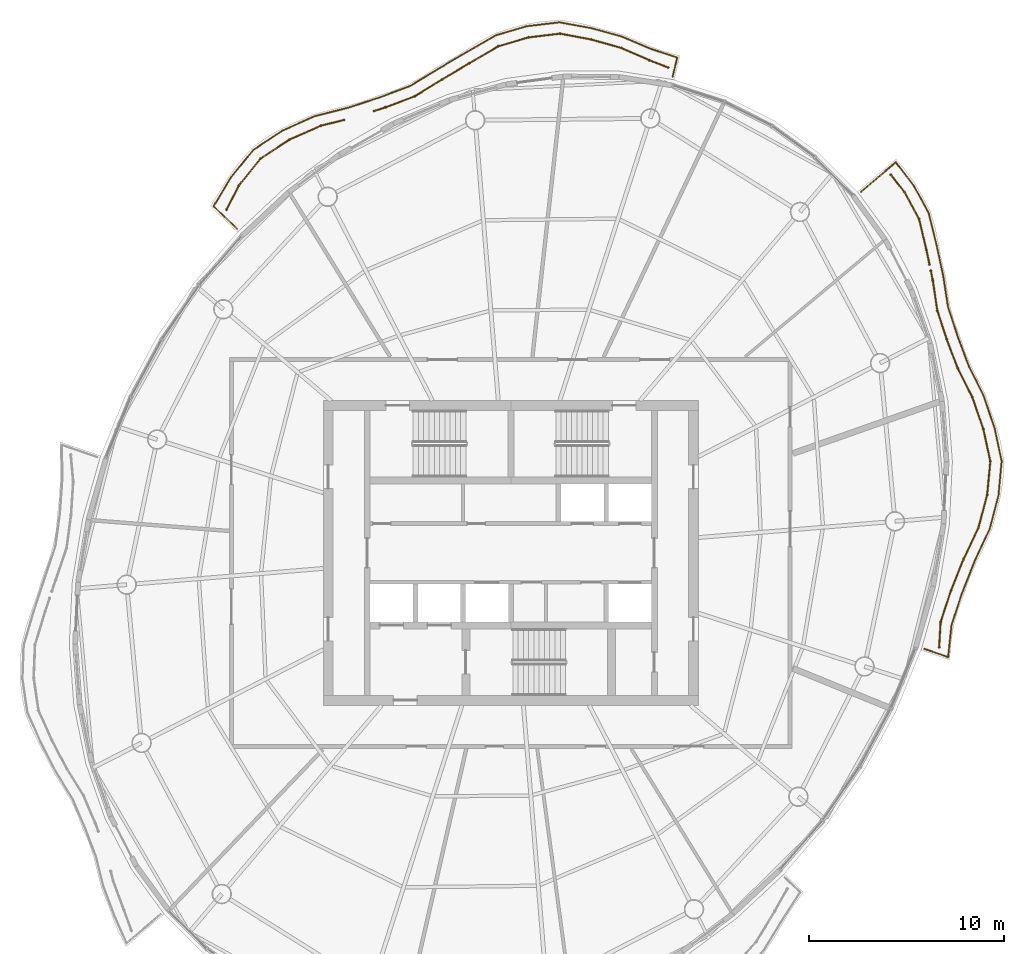
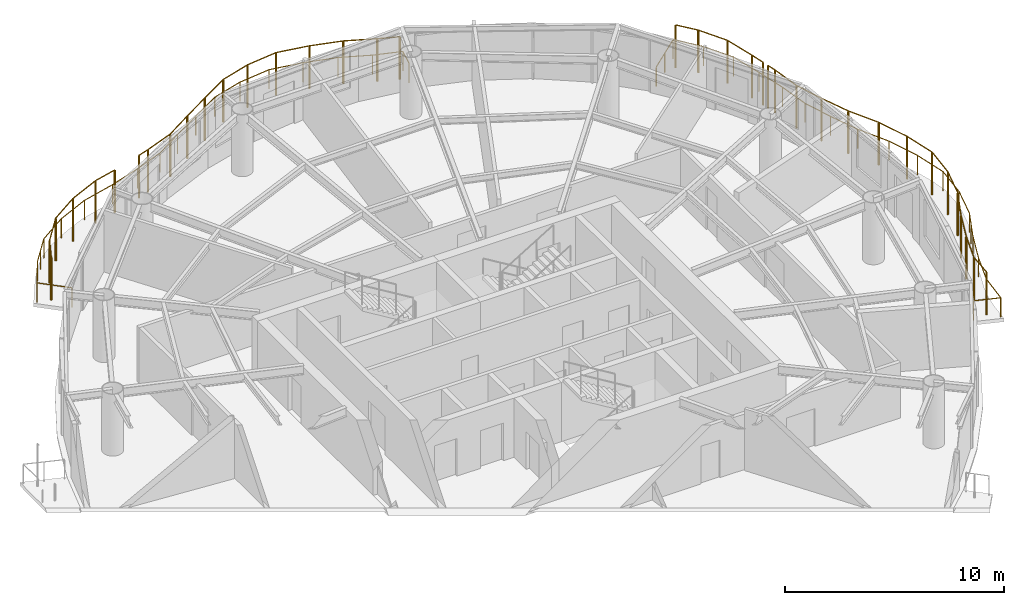
# One storey, part 14 of 14: 6 railings.
"""IFC4 building model written with IfcOpenShell, lengths in metres."""

from ifc_helpers import new_model, si_unit, direction, frame, origin, origin_2d, place, context, subcontext, project, spatial, circle, extrude, material, type_object, element, save


model = new_model("IFC4")

# Units and contexts
model_context = context("Model", 3, precision=1e-05, world=origin(), true_north=direction((0.0, 1.0)))
body_context = subcontext(model_context, "Body", "Model", "MODEL_VIEW")
ifc_project = project(units=[si_unit("LENGTHUNIT", "METRE"), si_unit("AREAUNIT", "SQUARE_METRE"), si_unit("VOLUMEUNIT", "CUBIC_METRE"), si_unit("PLANEANGLEUNIT", "RADIAN"), si_unit("MASSUNIT", "GRAM", prefix="KILO")], contexts=[model_context])

# Site, building, storey
site_placement = place(None, origin())
site = spatial("IfcSite", under=ifc_project, at=site_placement, CompositionType="ELEMENT")
building_placement = place(site_placement, origin())
building = spatial("IfcBuilding", under=site, at=building_placement, Name="Vermilion Reach Broadcast Tower", CompositionType="ELEMENT")
storey_placement = place(building_placement, frame((0.0, 0.0, 268.5)))
storey = spatial("IfcBuildingStorey", under=building, at=storey_placement, Name="L66", CompositionType="ELEMENT", Elevation=268.5)

# Railings
ifc_material_1 = material(Name="Terracotta baguette", Category="masonry")
railing_type_1 = type_object("IfcRailingType", Name="BAGUETTE SCREEN", PredefinedType="USERDEFINED", material=ifc_material_1)
railing_1_placement = place(storey_placement, frame((2.0556640625, 24.85205078125, 0.0)))
element("IfcRailing", 1, at=railing_1_placement, inside=storey, type_object=railing_type_1, Name="Baguette screen L66 group 1 part 1", ObjectType="BAGUETTE SCREEN", PredefinedType="USERDEFINED", context=body_context, shape_type="SweptSolid", body=[
    extrude(circle(Radius=0.030029296875, at=origin_2d()), frame((0.0, 0.0, 2.369873046875), z_axis=(-0.93247897324, 0.361224257859, 0.0), x_axis=(-0.361224257859, -0.93247897324, 0.0)), (0.0, 0.0, 1.0), 1.04150390625),
    extrude(circle(Radius=0.030029296875, at=origin_2d()), frame((-0.97119140625, 0.376220703125, 2.369873046875), z_axis=(-0.91631856322, 0.400450110124, 0.0), x_axis=(-0.400450110124, -0.91631856322, 0.0)), (0.0, 0.0, 1.0), 1.563232421875),
    extrude(circle(Radius=0.030029296875, at=origin_2d()), frame((-2.403564453125, 1.002197265625, 2.369873046875), z_axis=(-0.962434337891, 0.271514539662, 0.0), x_axis=(-0.271514539662, -0.962434337891, 0.0)), (0.0, 0.0, 1.0), 1.599609375),
    extrude(circle(Radius=0.030029296875, at=origin_2d()), frame((-3.943115234375, 1.4365234375, 2.369873046875), z_axis=(-0.982870475334, 0.184297663349, 0.0), x_axis=(-0.184297663349, -0.982870475334, 0.0)), (0.0, 0.0, 1.0), 1.61474609375),
    extrude(circle(Radius=0.030029296875, at=origin_2d()), frame((-5.5302734375, 1.734130859375, 2.369873046875), z_axis=(-0.993080723656, -0.117433710252, 0.0), x_axis=(0.117433710252, -0.993080723656, 0.0)), (0.0, 0.0, 1.0), 1.625732421875),
    extrude(circle(Radius=0.030029296875, at=origin_2d()), frame((-7.144775390625, 1.543212890625, 2.369873046875), z_axis=(-0.959243215021, -0.282581765931, 0.0), x_axis=(0.282581765931, -0.959243215021, 0.0)), (0.0, 0.0, 1.0), 1.62255859375),
    extrude(circle(Radius=0.030029296875, at=origin_2d()), frame((-8.701171875, 1.084716796875, 2.369873046875), z_axis=(-0.863017523231, -0.50517398448, 0.0), x_axis=(0.50517398448, -0.863017523231, 0.0)), (0.0, 0.0, 1.0), 1.7001953125),
    extrude(circle(Radius=0.030029296875, at=origin_2d()), frame((-10.16845703125, 0.225830078125, 2.369873046875), z_axis=(-0.85940504697, -0.511295379642, 0.0), x_axis=(0.511295379642, -0.85940504697, 0.0)), (0.0, 0.0, 1.0), 1.6396484375),
    extrude(circle(Radius=0.030029296875, at=origin_2d()), frame((-11.57763671875, -0.612548828125, 2.369873046875), z_axis=(-0.851515243905, -0.524329847898, 0.0), x_axis=(0.524329847898, -0.851515243905, 0.0)), (0.0, 0.0, 1.0), 1.640869140625),
    extrude(circle(Radius=0.030029296875, at=origin_2d()), frame((-12.974853515625, -1.472900390625, 2.369873046875), z_axis=(-0.935572395568, -0.353134949633, 0.0), x_axis=(0.353134949633, -0.935572395568, 0.0)), (0.0, 0.0, 1.0), 1.60888671875),
    extrude(circle(Radius=0.030029296875, at=origin_2d()), frame((-14.47998046875, -2.041015625, 2.369873046875), z_axis=(-0.9519617271, -0.306217031103, 0.0), x_axis=(0.306217031103, -0.9519617271, 0.0)), (0.0, 0.0, 1.0), 0.6083984375),
    extrude(circle(Radius=0.050048828125, at=origin_2d()), origin(), (0.0, 0.0, 1.0), 2.33984375),
    extrude(circle(Radius=0.050048828125, at=origin_2d()), frame((-0.97119140625, 0.376220703125, 0.0)), (0.0, 0.0, 1.0), 2.33984375),
    extrude(circle(Radius=0.050048828125, at=origin_2d()), frame((-2.403564453125, 1.002197265625, 0.0)), (0.0, 0.0, 1.0), 2.33984375),
    extrude(circle(Radius=0.050048828125, at=origin_2d()), frame((-3.943115234375, 1.4365234375, 0.0)), (0.0, 0.0, 1.0), 2.33984375),
    extrude(circle(Radius=0.050048828125, at=origin_2d()), frame((-5.5302734375, 1.734130859375, 0.0)), (0.0, 0.0, 1.0), 2.33984375),
    extrude(circle(Radius=0.050048828125, at=origin_2d()), frame((-7.144775390625, 1.543212890625, 0.0)), (0.0, 0.0, 1.0), 2.33984375),
    extrude(circle(Radius=0.050048828125, at=origin_2d()), frame((-8.701171875, 1.084716796875, 0.0)), (0.0, 0.0, 1.0), 2.33984375),
    extrude(circle(Radius=0.050048828125, at=origin_2d()), frame((-10.16845703125, 0.225830078125, 0.0)), (0.0, 0.0, 1.0), 2.33984375),
    extrude(circle(Radius=0.050048828125, at=origin_2d()), frame((-11.57763671875, -0.612548828125, 0.0)), (0.0, 0.0, 1.0), 2.33984375),
    extrude(circle(Radius=0.050048828125, at=origin_2d()), frame((-12.974853515625, -1.472900390625, 0.0)), (0.0, 0.0, 1.0), 2.33984375),
    extrude(circle(Radius=0.050048828125, at=origin_2d()), frame((-14.47998046875, -2.041015625, 0.0)), (0.0, 0.0, 1.0), 2.33984375),
    extrude(circle(Radius=0.050048828125, at=origin_2d()), frame((-15.05908203125, -2.227294921875, 0.0)), (0.0, 0.0, 1.0), 2.33984375),
])
railing_2_placement = place(storey_placement, frame((-14.55029296875, 22.165283203125, 0.0)))
element("IfcRailing", 2, at=railing_2_placement, inside=storey, type_object=railing_type_1, Name="Baguette screen L66 group 1 part 2", ObjectType="BAGUETTE SCREEN", PredefinedType="USERDEFINED", context=body_context, shape_type="SweptSolid", body=[
    extrude(circle(Radius=0.030029296875, at=origin_2d()), frame((0.0, 0.0, 2.369873046875), z_axis=(-0.970366023583, -0.241639773785, 0.0), x_axis=(0.241639773785, -0.970366023583, 0.0)), (0.0, 0.0, 1.0), 1.218505859375),
    extrude(circle(Radius=0.030029296875, at=origin_2d()), frame((-1.182373046875, -0.29443359375, 2.369873046875), z_axis=(-0.914033532245, -0.405638634664, 0.0), x_axis=(0.405638634664, -0.914033532245, 0.0)), (0.0, 0.0, 1.0), 1.767578125),
    extrude(circle(Radius=0.030029296875, at=origin_2d()), frame((-2.798095703125, -1.011474609375, 2.369873046875), z_axis=(-0.834997500605, -0.550253736002, 0.0), x_axis=(0.550253736002, -0.834997500605, 0.0)), (0.0, 0.0, 1.0), 1.751708984375),
    extrude(circle(Radius=0.030029296875, at=origin_2d()), frame((-4.2607421875, -1.975341796875, 2.369873046875), z_axis=(-0.628704633041, -0.777644188812, 0.0), x_axis=(0.777644188812, -0.628704633041, 0.0)), (0.0, 0.0, 1.0), 1.793212890625),
    extrude(circle(Radius=0.030029296875, at=origin_2d()), frame((-5.38818359375, -3.369873046875, 2.369873046875), z_axis=(-0.450853869309, -0.892597775333, 0.0), x_axis=(0.892597775333, -0.450853869309, 0.0)), (0.0, 0.0, 1.0), 1.36669921875),
    extrude(circle(Radius=0.050048828125, at=origin_2d()), origin(), (0.0, 0.0, 1.0), 2.33984375),
    extrude(circle(Radius=0.050048828125, at=origin_2d()), frame((-1.182373046875, -0.29443359375, 0.0)), (0.0, 0.0, 1.0), 2.33984375),
    extrude(circle(Radius=0.050048828125, at=origin_2d()), frame((-2.798095703125, -1.011474609375, 0.0)), (0.0, 0.0, 1.0), 2.33984375),
    extrude(circle(Radius=0.050048828125, at=origin_2d()), frame((-4.2607421875, -1.975341796875, 0.0)), (0.0, 0.0, 1.0), 2.33984375),
    extrude(circle(Radius=0.050048828125, at=origin_2d()), frame((-5.38818359375, -3.369873046875, 0.0)), (0.0, 0.0, 1.0), 2.33984375),
    extrude(circle(Radius=0.050048828125, at=origin_2d()), frame((-6.00439453125, -4.58984375, 0.0)), (0.0, 0.0, 1.0), 2.33984375),
])
railing_3_placement = place(storey_placement, frame((15.92529296875, -4.82080078125, 0.0)))
element("IfcRailing", 3, at=railing_3_placement, inside=storey, type_object=railing_type_1, Name="Baguette screen L66 group 4 part 1", ObjectType="BAGUETTE SCREEN", PredefinedType="USERDEFINED", context=body_context, shape_type="SweptSolid", body=[
    extrude(circle(Radius=0.030029296875, at=origin_2d()), frame((0.0, 0.0, 2.369873046875), z_axis=(0.059674018547, 0.998217917847, 0.0), x_axis=(-0.998217917847, 0.059674018547, 0.0)), (0.0, 0.0, 1.0), 1.292724609375),
    extrude(circle(Radius=0.030029296875, at=origin_2d()), frame((0.0771484375, 1.29052734375, 2.369873046875), z_axis=(0.311924092922, 0.950107025684, 0.0), x_axis=(-0.950107025684, 0.311924092922, 0.0)), (0.0, 0.0, 1.0), 1.703125),
    extrude(circle(Radius=0.030029296875, at=origin_2d()), frame((0.6083984375, 2.90869140625, 2.369873046875), z_axis=(0.372273789988, 0.928122958065, 0.0), x_axis=(-0.928122958065, 0.372273789988, 0.0)), (0.0, 0.0, 1.0), 1.715576171875),
    extrude(circle(Radius=0.030029296875, at=origin_2d()), frame((1.2470703125, 4.5009765625, 2.369873046875), z_axis=(0.427583669557, 0.903975777069, 0.0), x_axis=(-0.903975777069, 0.427583669557, 0.0)), (0.0, 0.0, 1.0), 1.795654296875),
    extrude(circle(Radius=0.030029296875, at=origin_2d()), frame((2.014892578125, 6.124267578125, 2.369873046875), z_axis=(0.256531390962, 0.966535899722, 0.0), x_axis=(-0.966535899722, 0.256531390962, 0.0)), (0.0, 0.0, 1.0), 1.733154296875),
    extrude(circle(Radius=0.030029296875, at=origin_2d()), frame((2.45947265625, 7.79931640625, 2.369873046875), z_axis=(0.093161158181, 0.995651042588, 0.0), x_axis=(-0.995651042588, 0.093161158181, 0.0)), (0.0, 0.0, 1.0), 1.72705078125),
    extrude(circle(Radius=0.030029296875, at=origin_2d()), frame((2.620361328125, 9.518798828125, 2.369873046875), z_axis=(-0.213654172216, 0.976909358485, 0.0), x_axis=(-0.976909358485, -0.213654172216, 0.0)), (0.0, 0.0, 1.0), 1.704833984375),
    extrude(circle(Radius=0.030029296875, at=origin_2d()), frame((2.256103515625, 11.184326171875, 2.369873046875), z_axis=(-0.328381999614, 0.944545002808, 0.0), x_axis=(-0.944545002808, -0.328381999614, 0.0)), (0.0, 0.0, 1.0), 1.707763671875),
    extrude(circle(Radius=0.030029296875, at=origin_2d()), frame((1.6953125, 12.79736328125, 2.369873046875), z_axis=(-0.450546783976, 0.892752818785, 0.0), x_axis=(-0.892752818785, -0.450546783976, 0.0)), (0.0, 0.0, 1.0), 1.66845703125),
    extrude(circle(Radius=0.030029296875, at=origin_2d()), frame((0.943603515625, 14.286865234375, 2.369873046875), z_axis=(-0.353379644387, 0.935479998147, 0.0), x_axis=(-0.935479998147, -0.353379644387, 0.0)), (0.0, 0.0, 1.0), 1.58837890625),
    extrude(circle(Radius=0.030029296875, at=origin_2d()), frame((0.38232421875, 15.772705078125, 2.369873046875), z_axis=(-0.311482135149, 0.950252008408, 0.0), x_axis=(-0.950252008408, -0.311482135149, 0.0)), (0.0, 0.0, 1.0), 1.529296875),
    extrude(circle(Radius=0.030029296875, at=origin_2d()), frame((-0.093994140625, 17.225830078125, 2.369873046875), z_axis=(-0.147442922369, 0.989070566059, 0.0), x_axis=(-0.989070566059, -0.147442922369, 0.0)), (0.0, 0.0, 1.0), 1.5830078125),
    extrude(circle(Radius=0.030029296875, at=origin_2d()), frame((-0.327392578125, 18.79150390625, 2.369873046875), z_axis=(-0.205377760527, 0.978682775715, 0.0), x_axis=(-0.978682775715, -0.205377760527, 0.0)), (0.0, 0.0, 1.0), 0.486083984375),
    extrude(circle(Radius=0.050048828125, at=origin_2d()), origin(), (0.0, 0.0, 1.0), 2.33984375),
    extrude(circle(Radius=0.050048828125, at=origin_2d()), frame((0.0771484375, 1.29052734375, 0.0)), (0.0, 0.0, 1.0), 2.33984375),
    extrude(circle(Radius=0.050048828125, at=origin_2d()), frame((0.6083984375, 2.90869140625, 0.0)), (0.0, 0.0, 1.0), 2.33984375),
    extrude(circle(Radius=0.050048828125, at=origin_2d()), frame((1.2470703125, 4.5009765625, 0.0)), (0.0, 0.0, 1.0), 2.33984375),
    extrude(circle(Radius=0.050048828125, at=origin_2d()), frame((2.014892578125, 6.124267578125, 0.0)), (0.0, 0.0, 1.0), 2.33984375),
    extrude(circle(Radius=0.050048828125, at=origin_2d()), frame((2.45947265625, 7.79931640625, 0.0)), (0.0, 0.0, 1.0), 2.33984375),
    extrude(circle(Radius=0.050048828125, at=origin_2d()), frame((2.620361328125, 9.518798828125, 0.0)), (0.0, 0.0, 1.0), 2.33984375),
    extrude(circle(Radius=0.050048828125, at=origin_2d()), frame((2.256103515625, 11.184326171875, 0.0)), (0.0, 0.0, 1.0), 2.33984375),
    extrude(circle(Radius=0.050048828125, at=origin_2d()), frame((1.6953125, 12.79736328125, 0.0)), (0.0, 0.0, 1.0), 2.33984375),
    extrude(circle(Radius=0.050048828125, at=origin_2d()), frame((0.943603515625, 14.286865234375, 0.0)), (0.0, 0.0, 1.0), 2.33984375),
    extrude(circle(Radius=0.050048828125, at=origin_2d()), frame((0.38232421875, 15.772705078125, 0.0)), (0.0, 0.0, 1.0), 2.33984375),
    extrude(circle(Radius=0.050048828125, at=origin_2d()), frame((-0.093994140625, 17.225830078125, 0.0)), (0.0, 0.0, 1.0), 2.33984375),
    extrude(circle(Radius=0.050048828125, at=origin_2d()), frame((-0.327392578125, 18.79150390625, 0.0)), (0.0, 0.0, 1.0), 2.33984375),
    extrude(circle(Radius=0.050048828125, at=origin_2d()), frame((-0.42724609375, 19.267333984375, 0.0)), (0.0, 0.0, 1.0), 2.33984375),
])
railing_4_placement = place(storey_placement, frame((15.429931640625, 14.77197265625, 0.0)))
element("IfcRailing", 4, at=railing_4_placement, inside=storey, type_object=railing_type_1, Name="Baguette screen L66 group 4 part 2", ObjectType="BAGUETTE SCREEN", PredefinedType="USERDEFINED", context=body_context, shape_type="SweptSolid", body=[
    extrude(circle(Radius=0.030029296875, at=origin_2d()), frame((0.0, 0.0, 2.369873046875), z_axis=(-0.205393898104, 0.978679389086, 0.0), x_axis=(-0.978679389086, -0.205393898104, 0.0)), (0.0, 0.0, 1.0), 0.75830078125),
    extrude(circle(Radius=0.030029296875, at=origin_2d()), frame((-0.15576171875, 0.7421875, 2.369873046875), z_axis=(-0.231681188649, 0.97279176951, 0.0), x_axis=(-0.97279176951, -0.231681188649, 0.0)), (0.0, 0.0, 1.0), 1.63232421875),
    extrude(circle(Radius=0.030029296875, at=origin_2d()), frame((-0.533935546875, 2.330078125, 2.369873046875), z_axis=(-0.476644638578, 0.879096063303, 0.0), x_axis=(-0.879096063303, -0.476644638578, 0.0)), (0.0, 0.0, 1.0), 1.56640625),
    extrude(circle(Radius=0.030029296875, at=origin_2d()), frame((-1.280517578125, 3.70703125, 2.369873046875), z_axis=(-0.620702944366, 0.784045824462, 0.0), x_axis=(-0.784045824462, -0.620702944366, 0.0)), (0.0, 0.0, 1.0), 1.12109375),
    extrude(circle(Radius=0.050048828125, at=origin_2d()), origin(), (0.0, 0.0, 1.0), 2.33984375),
    extrude(circle(Radius=0.050048828125, at=origin_2d()), frame((-0.15576171875, 0.7421875, 0.0)), (0.0, 0.0, 1.0), 2.33984375),
    extrude(circle(Radius=0.050048828125, at=origin_2d()), frame((-0.533935546875, 2.330078125, 0.0)), (0.0, 0.0, 1.0), 2.33984375),
    extrude(circle(Radius=0.050048828125, at=origin_2d()), frame((-1.280517578125, 3.70703125, 0.0)), (0.0, 0.0, 1.0), 2.33984375),
    extrude(circle(Radius=0.050048828125, at=origin_2d()), frame((-1.976318359375, 4.5859375, 0.0)), (0.0, 0.0, 1.0), 2.33984375),
])
ifc_material_2 = material(Name="Stainless steel 316 balustrade", Category="steel")
railing_type_2 = type_object("IfcRailingType", Name="Balcony guard 1100", PredefinedType="BALUSTRADE", material=ifc_material_2)
railing_5_placement = place(storey_placement, frame((2.28369140625, 24.388671875, 0.0)))
element("IfcRailing", 5, at=railing_5_placement, inside=storey, type_object=railing_type_2, Name="Balcony guard L66 group 1", PredefinedType="BALUSTRADE", context=body_context, shape_type="SweptSolid", body=[
    extrude(circle(Radius=0.02490234375, at=origin_2d()), frame((0.0, 0.0, 1.0751953125), z_axis=(0.231127126985, 0.97292355875, 0.0), x_axis=(-0.97292355875, 0.231127126985, 0.0)), (0.0, 0.0, 1.0), 1.00341796875),
    extrude(circle(Radius=0.02490234375, at=origin_2d()), frame((0.23193359375, 0.976318359375, 1.0751953125), z_axis=(-0.95094370081, 0.309363989322, 0.0), x_axis=(-0.309363989322, -0.95094370081, 0.0)), (0.0, 0.0, 1.0), 1.41015625),
    extrude(circle(Radius=0.02490234375, at=origin_2d()), frame((-1.109130859375, 1.41259765625, 1.0751953125), z_axis=(-0.919412383375, 0.39329488847, 0.0), x_axis=(-0.39329488847, -0.919412383375, 0.0)), (0.0, 0.0, 1.0), 1.604736328125),
    extrude(circle(Radius=0.02490234375, at=origin_2d()), frame((-2.58447265625, 2.043701171875, 1.0751953125), z_axis=(-0.964046493253, 0.265733623854, 0.0), x_axis=(-0.265733623854, -0.964046493253, 0.0)), (0.0, 0.0, 1.0), 1.641845703125),
    extrude(circle(Radius=0.02490234375, at=origin_2d()), frame((-4.167236328125, 2.47998046875, 1.0751953125), z_axis=(-0.98383685292, 0.179067157338, 0.0), x_axis=(-0.179067157338, -0.98383685292, 0.0)), (0.0, 0.0, 1.0), 1.6552734375),
    extrude(circle(Radius=0.02490234375, at=origin_2d()), frame((-5.795654296875, 2.7763671875, 1.0751953125), z_axis=(-0.993127588384, -0.117036717274, 0.0), x_axis=(0.117036717274, -0.993127588384, 0.0)), (0.0, 0.0, 1.0), 1.666748046875),
    extrude(circle(Radius=0.02490234375, at=origin_2d()), frame((-7.450927734375, 2.581298828125, 1.0751953125), z_axis=(-0.960029615377, -0.279898441581, 0.0), x_axis=(0.279898441581, -0.960029615377, 0.0)), (0.0, 0.0, 1.0), 1.66162109375),
    extrude(circle(Radius=0.02490234375, at=origin_2d()), frame((-9.046142578125, 2.1162109375, 1.0751953125), z_axis=(-0.866265098068, -0.499584607319, 0.0), x_axis=(0.499584607319, -0.866265098068, 0.0)), (0.0, 0.0, 1.0), 1.73779296875),
    extrude(circle(Radius=0.02490234375, at=origin_2d()), frame((-10.551513671875, 1.248046875, 1.0751953125), z_axis=(-0.862035318153, -0.506848212245, 0.0), x_axis=(0.506848212245, -0.862035318153, 0.0)), (0.0, 0.0, 1.0), 1.67578125),
    extrude(circle(Radius=0.02490234375, at=origin_2d()), frame((-11.99609375, 0.398681640625, 1.0751953125), z_axis=(-0.853655730415, -0.52083768482, 0.0), x_axis=(0.52083768482, -0.853655730415, 0.0)), (0.0, 0.0, 1.0), 1.677734375),
    extrude(circle(Radius=0.02490234375, at=origin_2d()), frame((-13.42822265625, -0.47509765625, 1.0751953125), z_axis=(-0.93507221609, -0.354457262158, 0.0), x_axis=(0.354457262158, -0.93507221609, 0.0)), (0.0, 0.0, 1.0), 1.64404296875),
    extrude(circle(Radius=0.02490234375, at=origin_2d()), frame((-14.965576171875, -1.057861328125, 1.0751953125), z_axis=(-0.950780852651, -0.309864115753, 0.0), x_axis=(0.309864115753, -0.950780852651, 0.0)), (0.0, 0.0, 1.0), 1.716796875),
    extrude(circle(Radius=0.02490234375, at=origin_2d()), frame((-16.597900390625, -1.58984375, 1.0751953125), z_axis=(-0.96900174353, -0.24705388286, 0.0), x_axis=(0.24705388286, -0.96900174353, 0.0)), (0.0, 0.0, 1.0), 1.79150390625),
    extrude(circle(Radius=0.02490234375, at=origin_2d()), frame((-18.333984375, -2.032470703125, 1.0751953125), z_axis=(-0.912600034321, -0.408853491312, 0.0), x_axis=(0.408853491312, -0.912600034321, 0.0)), (0.0, 0.0, 1.0), 1.801025390625),
    extrude(circle(Radius=0.02490234375, at=origin_2d()), frame((-19.9775390625, -2.768798828125, 1.0751953125), z_axis=(-0.834065525508, -0.55166538695, 0.0), x_axis=(0.55166538695, -0.834065525508, 0.0)), (0.0, 0.0, 1.0), 1.784423828125),
    extrude(circle(Radius=0.02490234375, at=origin_2d()), frame((-21.4658203125, -3.753173828125, 1.0751953125), z_axis=(-0.6310356304, -0.775753848309, 0.0), x_axis=(0.775753848309, -0.6310356304, 0.0)), (0.0, 0.0, 1.0), 1.825439453125),
    extrude(circle(Radius=0.02490234375, at=origin_2d()), frame((-22.61767578125, -5.169189453125, 1.0751953125), z_axis=(-0.514495755428, -0.857492925713, 0.0), x_axis=(0.857492925713, -0.514495755428, 0.0)), (0.0, 0.0, 1.0), 1.711181640625),
    extrude(circle(Radius=0.02490234375, at=origin_2d()), frame((-23.498046875, -6.636474609375, 1.0751953125), z_axis=(0.721224865372, -0.692701013114, 0.0), x_axis=(0.692701013114, 0.721224865372, 0.0)), (0.0, 0.0, 1.0), 1.65185546875),
    extrude(circle(Radius=0.02490234375, at=origin_2d()), origin(), (0.0, 0.0, 1.0), 1.050048828125),
    extrude(circle(Radius=0.02490234375, at=origin_2d()), frame((0.23193359375, 0.976318359375, 0.0)), (0.0, 0.0, 1.0), 1.050048828125),
    extrude(circle(Radius=0.02490234375, at=origin_2d()), frame((-1.109130859375, 1.41259765625, 0.0)), (0.0, 0.0, 1.0), 1.050048828125),
    extrude(circle(Radius=0.02490234375, at=origin_2d()), frame((-2.58447265625, 2.043701171875, 0.0)), (0.0, 0.0, 1.0), 1.050048828125),
    extrude(circle(Radius=0.02490234375, at=origin_2d()), frame((-4.167236328125, 2.47998046875, 0.0)), (0.0, 0.0, 1.0), 1.050048828125),
    extrude(circle(Radius=0.02490234375, at=origin_2d()), frame((-5.795654296875, 2.7763671875, 0.0)), (0.0, 0.0, 1.0), 1.050048828125),
    extrude(circle(Radius=0.02490234375, at=origin_2d()), frame((-7.450927734375, 2.581298828125, 0.0)), (0.0, 0.0, 1.0), 1.050048828125),
    extrude(circle(Radius=0.02490234375, at=origin_2d()), frame((-9.046142578125, 2.1162109375, 0.0)), (0.0, 0.0, 1.0), 1.050048828125),
    extrude(circle(Radius=0.02490234375, at=origin_2d()), frame((-10.551513671875, 1.248046875, 0.0)), (0.0, 0.0, 1.0), 1.050048828125),
    extrude(circle(Radius=0.02490234375, at=origin_2d()), frame((-11.99609375, 0.398681640625, 0.0)), (0.0, 0.0, 1.0), 1.050048828125),
    extrude(circle(Radius=0.02490234375, at=origin_2d()), frame((-13.42822265625, -0.47509765625, 0.0)), (0.0, 0.0, 1.0), 1.050048828125),
    extrude(circle(Radius=0.02490234375, at=origin_2d()), frame((-14.965576171875, -1.057861328125, 0.0)), (0.0, 0.0, 1.0), 1.050048828125),
    extrude(circle(Radius=0.02490234375, at=origin_2d()), frame((-16.597900390625, -1.58984375, 0.0)), (0.0, 0.0, 1.0), 1.050048828125),
    extrude(circle(Radius=0.02490234375, at=origin_2d()), frame((-18.333984375, -2.032470703125, 0.0)), (0.0, 0.0, 1.0), 1.050048828125),
    extrude(circle(Radius=0.02490234375, at=origin_2d()), frame((-19.15576171875, -2.400634765625, 0.0)), (0.0, 0.0, 1.0), 1.050048828125),
    extrude(circle(Radius=0.02490234375, at=origin_2d()), frame((-19.9775390625, -2.768798828125, 0.0)), (0.0, 0.0, 1.0), 1.050048828125),
    extrude(circle(Radius=0.02490234375, at=origin_2d()), frame((-21.4658203125, -3.753173828125, 0.0)), (0.0, 0.0, 1.0), 1.050048828125),
    extrude(circle(Radius=0.02490234375, at=origin_2d()), frame((-22.041748046875, -4.461181640625, 0.0)), (0.0, 0.0, 1.0), 1.050048828125),
    extrude(circle(Radius=0.02490234375, at=origin_2d()), frame((-22.61767578125, -5.169189453125, 0.0)), (0.0, 0.0, 1.0), 1.050048828125),
    extrude(circle(Radius=0.02490234375, at=origin_2d()), frame((-23.498046875, -6.636474609375, 0.0)), (0.0, 0.0, 1.0), 1.050048828125),
    extrude(circle(Radius=0.02490234375, at=origin_2d()), frame((-22.306640625, -7.78076171875, 0.0)), (0.0, 0.0, 1.0), 1.050048828125),
])
railing_6_placement = place(storey_placement, frame((15.17431640625, -4.910400390625, 0.0)))
element("IfcRailing", 6, at=railing_6_placement, inside=storey, type_object=railing_type_2, Name="Balcony guard L66 group 4", PredefinedType="BALUSTRADE", context=body_context, shape_type="SweptSolid", body=[
    extrude(circle(Radius=0.02490234375, at=origin_2d()), frame((0.0, 0.0, 1.0751953125), z_axis=(0.945328332905, -0.326120135852, 0.0), x_axis=(0.326120135852, 0.945328332905, 0.0)), (0.0, 0.0, 1.0), 1.278564453125),
    extrude(circle(Radius=0.02490234375, at=origin_2d()), frame((1.208740234375, -0.4169921875, 1.0751953125), z_axis=(0.107568923854, 0.994197629559, 0.0), x_axis=(-0.994197629559, 0.107568923854, 0.0)), (0.0, 0.0, 1.0), 1.647705078125),
    extrude(circle(Radius=0.02490234375, at=origin_2d()), frame((1.385986328125, 1.22119140625, 1.0751953125), z_axis=(0.310694870681, 0.950509703966, 0.0), x_axis=(-0.950509703966, 0.310694870681, 0.0)), (0.0, 0.0, 1.0), 1.73583984375),
    extrude(circle(Radius=0.02490234375, at=origin_2d()), frame((1.92529296875, 2.87109375, 1.0751953125), z_axis=(0.368908733563, 0.929465624055, 0.0), x_axis=(-0.929465624055, 0.368908733563, 0.0)), (0.0, 0.0, 1.0), 1.747802734375),
    extrude(circle(Radius=0.02490234375, at=origin_2d()), frame((2.570068359375, 4.49560546875, 1.0751953125), z_axis=(0.422578354525, 0.906326395008, 0.0), x_axis=(-0.906326395008, 0.422578354525, 0.0)), (0.0, 0.0, 1.0), 1.827880859375),
    extrude(circle(Radius=0.02490234375, at=origin_2d()), frame((3.342529296875, 6.15234375, 1.0751953125), z_axis=(0.253220801642, 0.967408510204, 0.0), x_axis=(-0.967408510204, 0.253220801642, 0.0)), (0.0, 0.0, 1.0), 1.766357421875),
    extrude(circle(Radius=0.02490234375, at=origin_2d()), frame((3.789794921875, 7.861083984375, 1.0751953125), z_axis=(0.091559816554, 0.995799578225, 0.0), x_axis=(-0.995799578225, 0.091559816554, 0.0)), (0.0, 0.0, 1.0), 1.762451171875),
    extrude(circle(Radius=0.02490234375, at=origin_2d()), frame((3.951171875, 9.6162109375, 1.0751953125), z_axis=(-0.210238294324, 0.977650172403, 0.0), x_axis=(-0.977650172403, -0.210238294324, 0.0)), (0.0, 0.0, 1.0), 1.739501953125),
    extrude(circle(Radius=0.02490234375, at=origin_2d()), frame((3.58544921875, 11.31689453125, 1.0751953125), z_axis=(-0.323776717184, 0.946133519864, 0.0), x_axis=(-0.946133519864, -0.323776717184, 0.0)), (0.0, 0.0, 1.0), 1.744140625),
    extrude(circle(Radius=0.02490234375, at=origin_2d()), frame((3.020751953125, 12.967041015625, 1.0751953125), z_axis=(-0.444862376661, 0.895598942514, 0.0), x_axis=(-0.895598942514, -0.444862376661, 0.0)), (0.0, 0.0, 1.0), 1.7041015625),
    extrude(circle(Radius=0.02490234375, at=origin_2d()), frame((2.2626953125, 14.4931640625, 1.0751953125), z_axis=(-0.350630129455, 0.936514021421, 0.0), x_axis=(-0.936514021421, -0.350630129455, 0.0)), (0.0, 0.0, 1.0), 1.627197265625),
    extrude(circle(Radius=0.02490234375, at=origin_2d()), frame((1.692138671875, 16.01708984375, 1.0751953125), z_axis=(-0.310993047612, 0.950412186547, 0.0), x_axis=(-0.950412186547, -0.310993047612, 0.0)), (0.0, 0.0, 1.0), 1.568603515625),
    extrude(circle(Radius=0.02490234375, at=origin_2d()), frame((1.204345703125, 17.5078125, 1.0751953125), z_axis=(-0.153119545066, 0.988207672971, 0.0), x_axis=(-0.988207672971, -0.153119545066, 0.0)), (0.0, 0.0, 1.0), 1.623046875),
    extrude(circle(Radius=0.02490234375, at=origin_2d()), frame((0.955810546875, 19.11181640625, 1.0751953125), z_axis=(-0.211188575383, 0.977445336388, 0.0), x_axis=(-0.977445336388, -0.211188575383, 0.0)), (0.0, 0.0, 1.0), 1.6171875),
    extrude(circle(Radius=0.02490234375, at=origin_2d()), frame((0.6142578125, 20.692626953125, 1.0751953125), z_axis=(-0.238792631236, 0.971070584081, 0.0), x_axis=(-0.971070584081, -0.238792631236, 0.0)), (0.0, 0.0, 1.0), 1.673583984375),
    extrude(circle(Radius=0.02490234375, at=origin_2d()), frame((0.214599609375, 22.31787109375, 1.0751953125), z_axis=(-0.478724592497, 0.877965127177, 0.0), x_axis=(-0.877965127177, -0.478724592497, 0.0)), (0.0, 0.0, 1.0), 1.609619140625),
    extrude(circle(Radius=0.02490234375, at=origin_2d()), frame((-0.555908203125, 23.73095703125, 1.0751953125), z_axis=(-0.613703227398, 0.789536793748, 0.0), x_axis=(-0.789536793748, -0.613703227398, 0.0)), (0.0, 0.0, 1.0), 1.495361328125),
    extrude(circle(Radius=0.02490234375, at=origin_2d()), frame((-1.4736328125, 24.91162109375, 1.0751953125), z_axis=(-0.760580932165, -0.649243132907, 0.0), x_axis=(0.649243132907, -0.760580932165, 0.0)), (0.0, 0.0, 1.0), 2.32666015625),
    extrude(circle(Radius=0.02490234375, at=origin_2d()), origin(), (0.0, 0.0, 1.0), 1.050048828125),
    extrude(circle(Radius=0.02490234375, at=origin_2d()), frame((1.208740234375, -0.4169921875, 0.0)), (0.0, 0.0, 1.0), 1.050048828125),
    extrude(circle(Radius=0.02490234375, at=origin_2d()), frame((1.385986328125, 1.22119140625, 0.0)), (0.0, 0.0, 1.0), 1.050048828125),
    extrude(circle(Radius=0.02490234375, at=origin_2d()), frame((1.92529296875, 2.87109375, 0.0)), (0.0, 0.0, 1.0), 1.050048828125),
    extrude(circle(Radius=0.02490234375, at=origin_2d()), frame((2.570068359375, 4.49560546875, 0.0)), (0.0, 0.0, 1.0), 1.050048828125),
    extrude(circle(Radius=0.02490234375, at=origin_2d()), frame((2.956298828125, 5.323974609375, 0.0)), (0.0, 0.0, 1.0), 1.050048828125),
    extrude(circle(Radius=0.02490234375, at=origin_2d()), frame((3.342529296875, 6.15234375, 0.0)), (0.0, 0.0, 1.0), 1.050048828125),
    extrude(circle(Radius=0.02490234375, at=origin_2d()), frame((3.789794921875, 7.861083984375, 0.0)), (0.0, 0.0, 1.0), 1.050048828125),
    extrude(circle(Radius=0.02490234375, at=origin_2d()), frame((3.951171875, 9.6162109375, 0.0)), (0.0, 0.0, 1.0), 1.050048828125),
    extrude(circle(Radius=0.02490234375, at=origin_2d()), frame((3.58544921875, 11.31689453125, 0.0)), (0.0, 0.0, 1.0), 1.050048828125),
    extrude(circle(Radius=0.02490234375, at=origin_2d()), frame((3.020751953125, 12.967041015625, 0.0)), (0.0, 0.0, 1.0), 1.050048828125),
    extrude(circle(Radius=0.02490234375, at=origin_2d()), frame((2.2626953125, 14.4931640625, 0.0)), (0.0, 0.0, 1.0), 1.050048828125),
    extrude(circle(Radius=0.02490234375, at=origin_2d()), frame((1.692138671875, 16.01708984375, 0.0)), (0.0, 0.0, 1.0), 1.050048828125),
    extrude(circle(Radius=0.02490234375, at=origin_2d()), frame((1.204345703125, 17.5078125, 0.0)), (0.0, 0.0, 1.0), 1.050048828125),
    extrude(circle(Radius=0.02490234375, at=origin_2d()), frame((0.955810546875, 19.11181640625, 0.0)), (0.0, 0.0, 1.0), 1.050048828125),
    extrude(circle(Radius=0.02490234375, at=origin_2d()), frame((0.6142578125, 20.692626953125, 0.0)), (0.0, 0.0, 1.0), 1.050048828125),
    extrude(circle(Radius=0.02490234375, at=origin_2d()), frame((0.214599609375, 22.31787109375, 0.0)), (0.0, 0.0, 1.0), 1.050048828125),
    extrude(circle(Radius=0.02490234375, at=origin_2d()), frame((-0.555908203125, 23.73095703125, 0.0)), (0.0, 0.0, 1.0), 1.050048828125),
    extrude(circle(Radius=0.02490234375, at=origin_2d()), frame((-1.4736328125, 24.91162109375, 0.0)), (0.0, 0.0, 1.0), 1.050048828125),
    extrude(circle(Radius=0.02490234375, at=origin_2d()), frame((-2.3583984375, 24.15625, 0.0)), (0.0, 0.0, 1.0), 1.050048828125),
    extrude(circle(Radius=0.02490234375, at=origin_2d()), frame((-3.2431640625, 23.401123046875, 0.0)), (0.0, 0.0, 1.0), 1.050048828125),
])

save(model, "model.ifc")
